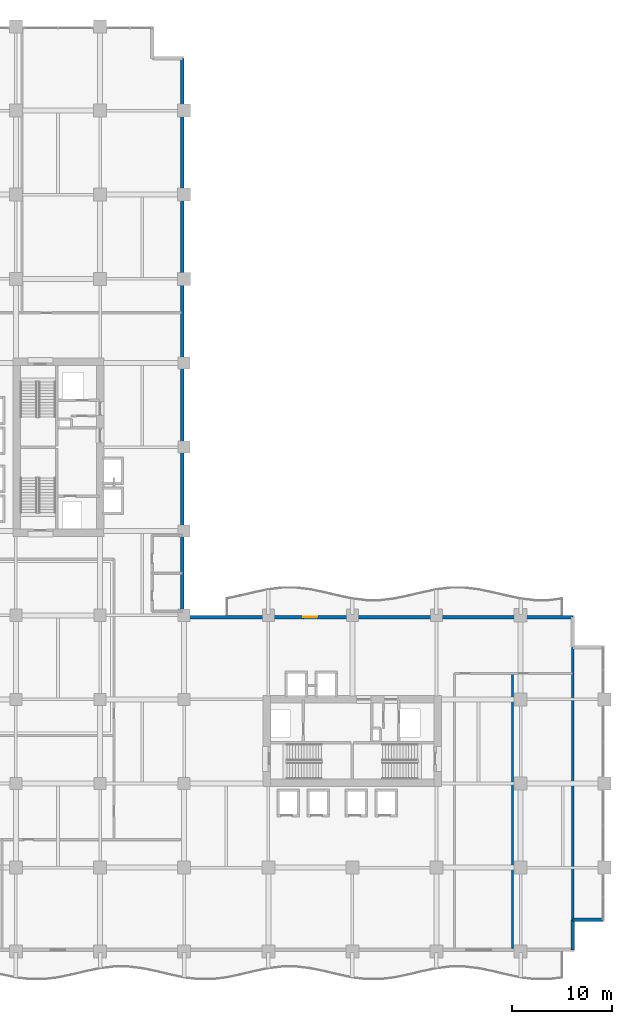
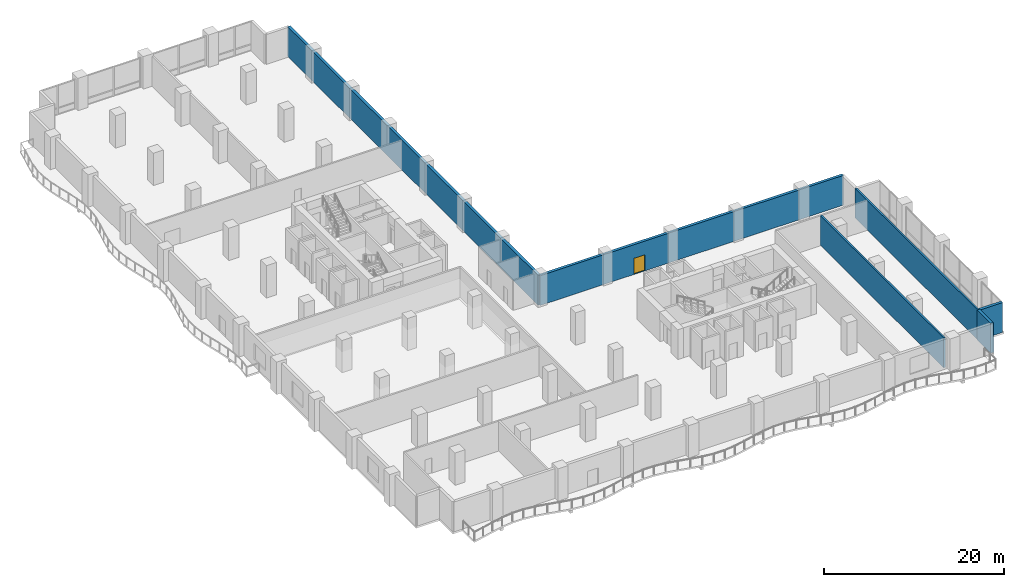
# One storey, part 16 of 24: 6 walls, 1 door, 1 opening.
"""IFC4 building model written with IfcOpenShell, lengths in metres."""

from ifc_helpers import new_model, si_unit, direction, frame, frame_2d, origin, place, context, subcontext, project, spatial, rectangle, extrude, material, layer, layer_set, type_object, element, fill, save


model = new_model("IFC4")

# Units and contexts
model_context = context("Model", 3, precision=1e-05, world=origin(), true_north=direction((0.0, 1.0)))
body_context = subcontext(model_context, "Body", "Model", "MODEL_VIEW")
ifc_project = project(units=[si_unit("LENGTHUNIT", "METRE"), si_unit("AREAUNIT", "SQUARE_METRE"), si_unit("VOLUMEUNIT", "CUBIC_METRE"), si_unit("PLANEANGLEUNIT", "RADIAN"), si_unit("MASSUNIT", "GRAM", prefix="KILO")], contexts=[model_context])

# Site, building, storey
site_placement = place(None, origin())
site = spatial("IfcSite", under=ifc_project, at=site_placement, CompositionType="ELEMENT")
building_placement = place(site_placement, origin())
building = spatial("IfcBuilding", under=site, at=building_placement, Name="Koriwani Terraces Tower", CompositionType="ELEMENT")
storey_placement = place(building_placement, frame((0.0, 0.0, 89.60009765625)))
storey = spatial("IfcBuildingStorey", under=building, at=storey_placement, Name="L21", CompositionType="ELEMENT", Elevation=89.60009765625)

# Walls
ifc_material_1 = material(Name="Autoclaved Cellular Concrete Blockwork", Category="masonry")
ifc_layer_1 = layer(ifc_material_1, 0.219970703125, Name="Autoclaved Cellular Concrete Blockwork")
ifc_layer_set_1 = layer_set([ifc_layer_1], Name="Autoclaved Cellular Concrete Blockwork")
wall_type_1 = type_object("IfcWallType", Name="WALL_DEMISING_220", PredefinedType="PARTITIONING", material=ifc_layer_set_1)
wall_1_placement = place(storey_placement, frame((72.39990234375, 3.0, 0.0), z_axis=(0.0, 0.0, 1.0), x_axis=(0.0, 1.0, 0.0)))
element("IfcWall", 1, at=wall_1_placement, inside=storey, type_object=wall_type_1, Name="L21 Interior Wall WSKY-EE-L21", PredefinedType="PARTITIONING", context=body_context, shape_type="SweptSolid", body=[
    extrude(rectangle(XDim=27.39990234375, YDim=0.219970703125, at=frame_2d((13.699951171875, 0.0))), origin(), (0.0, 0.0, 1.0), 4.0498046875),
])
wall_2_placement = place(storey_placement, frame((66.39990234375, 0.300048828125, 0.0), z_axis=(0.0, 0.0, 1.0), x_axis=(0.0, 1.0, 0.0)))
element("IfcWall", 2, at=wall_2_placement, inside=storey, type_object=wall_type_1, Name="L21 Interior Wall WSKY-EDIV-L21", PredefinedType="PARTITIONING", context=body_context, shape_type="SweptSolid", body=[
    extrude(rectangle(XDim=27.5, YDim=0.219970703125, at=frame_2d((13.75, 0.0))), origin(), (0.0, 0.0, 1.0), 4.0498046875),
])
ifc_material_2 = material(Name="Concrete C50/60", Category="concrete")
ifc_layer_2 = layer(ifc_material_2, 0.35009765625, Name="Concrete C50/60")
ifc_layer_set_2 = layer_set([ifc_layer_2], Name="Concrete C50/60")
wall_type_2 = type_object("IfcWallType", Name="WALL_EXT_BRUTALIST_350", PredefinedType="STANDARD", material=ifc_layer_set_2)
wall_3_placement = place(storey_placement, frame((33.425048828125, 89.22509765625, 0.0), z_axis=(0.0, 0.0, 1.0), x_axis=(0.0, -1.0, 0.0)))
element("IfcWall", 3, at=wall_3_placement, inside=storey, type_object=wall_type_2, Name="L21 Fair-Faced Brutalist Exterior Wall (NW_IN)", PredefinedType="STANDARD", context=body_context, shape_type="SweptSolid", body=[
    extrude(rectangle(XDim=55.800048828125, YDim=0.35009765625, at=frame_2d((27.89990234375, 0.0))), origin(), (0.0, 0.0, 1.0), 4.0498046875),
])

# Wall, opening, door
wall_4_placement = place(storey_placement, frame((33.425048828125, 33.425048828125, 0.0), z_axis=(0.0, 0.0, 1.0), x_axis=(1.0, 0.0, 0.0)))
wall_4 = element("IfcWall", 4, at=wall_4_placement, inside=storey, type_object=wall_type_2, Name="L21 Fair-Faced Brutalist Exterior Wall (NE)", PredefinedType="STANDARD", context=body_context, shape_type="SweptSolid", body=[
    extrude(rectangle(XDim=39.0, YDim=0.35009765625, at=frame_2d((19.5, 0.0))), origin(), (0.0, 0.0, 1.0), 4.0498046875),
])
opening_placement = place(wall_4_placement, frame((12.074951171875, 0.0, 0.0)))
opening = element("IfcOpeningElement", 5, at=opening_placement, cuts=wall_4, Name="Opening D-09", PredefinedType="OPENING", context=body_context, shape_type="SweptSolid", body=[
    extrude(rectangle(XDim=1.39990234375, YDim=2.199951171875, at=frame_2d((0.699951171875, 1.10009765625))), frame((0.0, 0.18505859375, 0.0), z_axis=(0.0, -1.0, 0.0), x_axis=(1.0, 0.0, 0.0)), (0.0, 0.0, 1.0), 0.3701171875),
])
ifc_material_3 = material(Name="Anodised Bronze Aluminium", Category="aluminium")
door_type = type_object("IfcDoorType", Name="DOOR_BALCONY_GLAZED_1400X2200", OperationType="NOTDEFINED", PredefinedType="DOOR", material=ifc_material_3)
door_placement = place(opening_placement, origin())
door = element("IfcDoor", 6, at=door_placement, inside=storey, type_object=door_type, Name="L21 Inner Court Balcony Glazed Door", OperationType="SINGLE_SWING_LEFT", OverallHeight=2.199951171875, OverallWidth=1.39990234375, PredefinedType="DOOR", context=body_context, shape_type="SweptSolid", body=[
    extrude(rectangle(XDim=1.39990234375, YDim=2.199951171875, at=frame_2d((0.699951171875, 1.10009765625))), frame((0.0, 0.02490234375, 0.0), z_axis=(0.0, -1.0, 0.0), x_axis=(1.0, 0.0, 0.0)), (0.0, 0.0, 1.0), 0.050048828125),
])
fill(opening, door)

# Walls
for number, where, z_axis, x_axis, name in (
    (7, (75.425048828125, 3.175048828125, 0.0), (0.0, 0.0, 1.0), (-1.0, 0.0, 0.0), "L21 Fair-Faced Brutalist Exterior Wall (N13)"),
    (8, (72.425048828125, 3.175048828125, 0.0), (0.0, 0.0, 1.0), (0.0, -1.0, 0.0), "L21 Fair-Faced Brutalist Exterior Wall (N14)"),
):
    element("IfcWall", number, at=place(storey_placement, frame(where, z_axis=z_axis, x_axis=x_axis)), inside=storey, type_object=wall_type_2, Name=name, PredefinedType="STANDARD", context=body_context, shape_type="SweptSolid", body=[
        extrude(rectangle(XDim=3.0, YDim=0.35009765625, at=frame_2d((1.5, 0.0))), origin(), (0.0, 0.0, 1.0), 4.0498046875),
    ])

save(model, "model.ifc")
